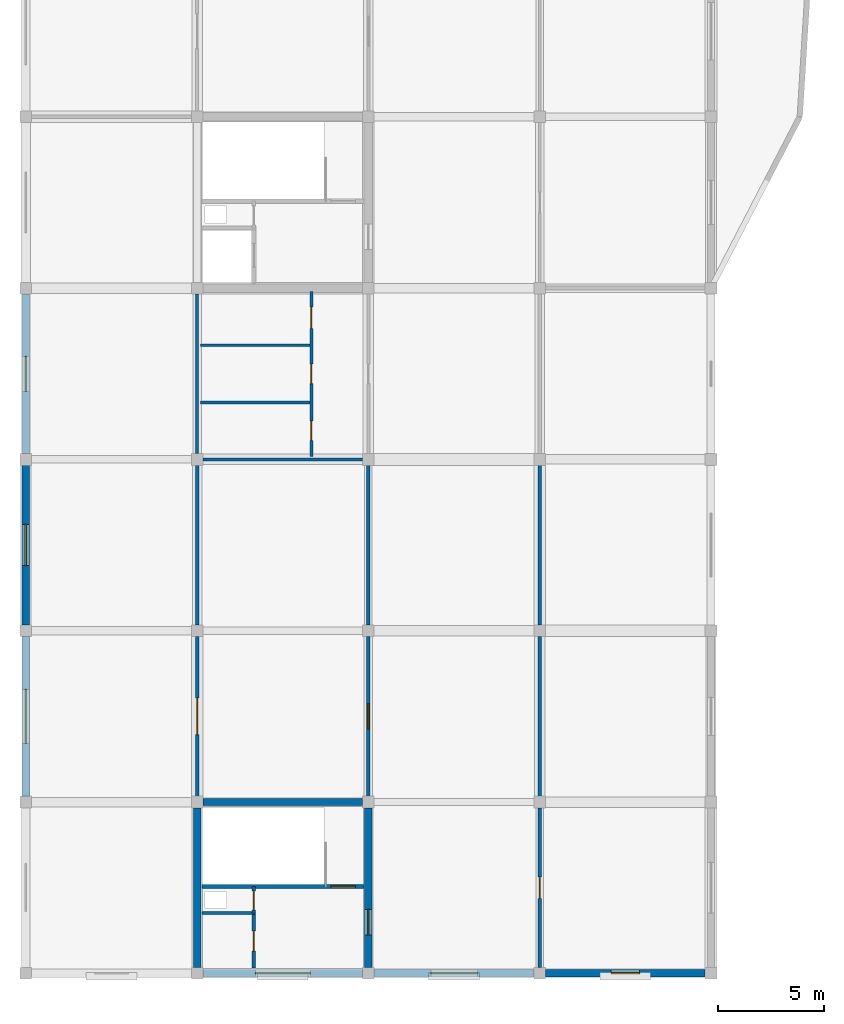
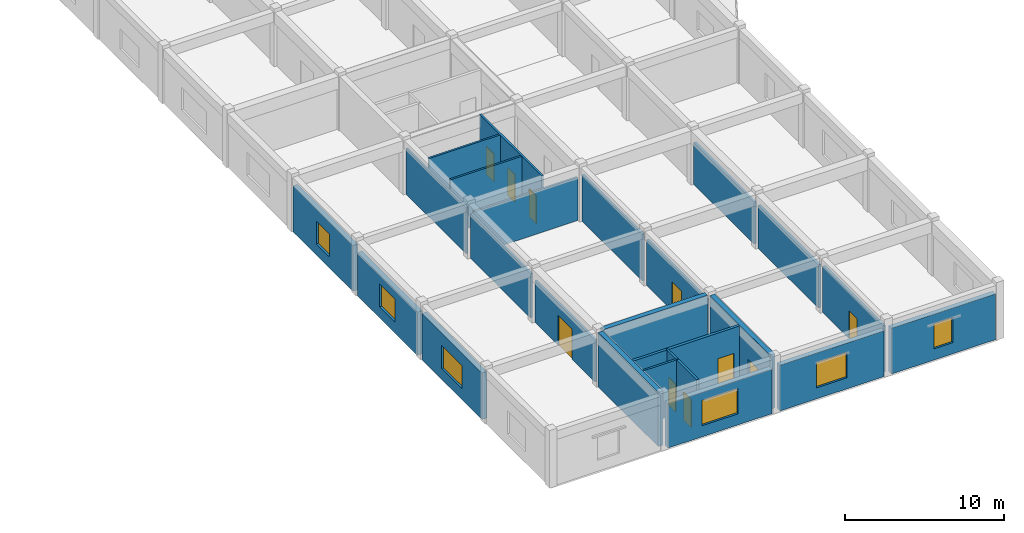
# One storey, part 3 of 7: 25 walls, 10 doors, 6 windows, 16 openings.
"""IFC4 building model written with IfcOpenShell, lengths in metres."""

from ifc_helpers import new_model, si_unit, direction, frame, frame_2d, origin, place, context, subcontext, project, spatial, rectangle, extrude, material, layer, layer_set, type_object, element, fill, save


model = new_model("IFC4")

# Units and contexts
model_context = context("Model", 3, precision=1e-05, world=origin(), true_north=direction((0.0, 1.0)))
body_context = subcontext(model_context, "Body", "Model", "MODEL_VIEW")
ifc_project = project(units=[si_unit("LENGTHUNIT", "METRE"), si_unit("AREAUNIT", "SQUARE_METRE"), si_unit("VOLUMEUNIT", "CUBIC_METRE"), si_unit("PLANEANGLEUNIT", "RADIAN"), si_unit("MASSUNIT", "GRAM", prefix="KILO")], contexts=[model_context])

# Site, building, storey
site_placement = place(None, origin())
site = spatial("IfcSite", under=ifc_project, at=site_placement, CompositionType="ELEMENT")
building_placement = place(site_placement, origin())
building = spatial("IfcBuilding", under=site, at=building_placement, Name="Vaudrelin Polytechnic", CompositionType="ELEMENT")
storey_placement = place(building_placement, frame((0.0, 0.0, 31.7900390625)))
storey = spatial("IfcBuildingStorey", under=building, at=storey_placement, Name="L07", CompositionType="ELEMENT", Elevation=31.7900390625)

# Wall, opening, window
ifc_material_1 = material(Name="Precast concrete 35 MPa with terracotta baguette screen", Category="masonry")
ifc_layer_1 = layer(ifc_material_1, 0.35009765625)
ifc_layer_set_1 = layer_set([ifc_layer_1], Name="Precast concrete 35 MPa with terracotta baguette screen")
wall_type_1 = type_object("IfcWallType", Name="WAL-EW-TERR350", PredefinedType="STANDARD", material=ifc_layer_set_1)
wall_1_placement = place(storey_placement, frame((146.072998046875, 32.39990234375, 0.0), z_axis=(0.0, 0.0, 1.0), x_axis=(1.0, 0.0, 0.0)))
wall_1 = element("IfcWall", 1, at=wall_1_placement, inside=storey, type_object=wall_type_1, Name="Exterior wall L07 S_V4_01", PredefinedType="STANDARD", context=body_context, shape_type="SweptSolid", body=[
    extrude(rectangle(XDim=7.553955078125, YDim=0.35009765625, at=frame_2d((3.77685546875, 0.0))), origin(), (0.0, 0.0, 1.0), 3.411865234375),
])
opening_1_placement = place(wall_1_placement, frame((2.47705078125, 0.0, 0.85009765625)))
opening_1 = element("IfcOpeningElement", 2, at=opening_1_placement, cuts=wall_1, Name="Opening W-L07-S-V4-02", PredefinedType="OPENING", context=body_context, shape_type="SweptSolid", body=[
    extrude(rectangle(XDim=2.60009765625, YDim=1.949951171875, at=frame_2d((1.300048828125, 0.97509765625))), frame((0.0, 0.18505859375, 0.0), z_axis=(0.0, -1.0, 0.0), x_axis=(1.0, 0.0, 0.0)), (0.0, 0.0, 1.0), 0.3701171875),
])
ifc_material_2 = material(Name="Thermally broken aluminium frame with triple low-e glazing", Category="aluminium")
window_type_1 = type_object("IfcWindowType", Name="WIN-WN-12", PartitioningType="SINGLE_PANEL", PredefinedType="WINDOW", material=ifc_material_2)
window_1_placement = place(opening_1_placement, origin())
window_1 = element("IfcWindow", 3, at=window_1_placement, inside=storey, type_object=window_type_1, Name="Facade window L07-S_V4_01", OverallHeight=1.949951171875, OverallWidth=2.60009765625, PartitioningType="SINGLE_PANEL", PredefinedType="WINDOW", context=body_context, shape_type="SweptSolid", body=[
    extrude(rectangle(XDim=2.60009765625, YDim=1.949951171875, at=frame_2d((1.300048828125, 0.97509765625))), frame((0.0, 0.030029296875, 0.0), z_axis=(0.0, -1.0, 0.0), x_axis=(1.0, 0.0, 0.0)), (0.0, 0.0, 1.0), 0.06005859375),
])
fill(opening_1, window_1)

wall_2_placement = place(storey_placement, frame((154.173095703125, 32.39990234375, 0.0), z_axis=(0.0, 0.0, 1.0), x_axis=(1.0, 0.0, 0.0)))
wall_2 = element("IfcWall", 4, at=wall_2_placement, inside=storey, type_object=wall_type_1, Name="Exterior wall L07 S_V4_02", PredefinedType="STANDARD", context=body_context, shape_type="SweptSolid", body=[
    extrude(rectangle(XDim=7.553955078125, YDim=0.35009765625, at=frame_2d((3.77685546875, 0.0))), origin(), (0.0, 0.0, 1.0), 3.511962890625),
])
opening_2_placement = place(wall_2_placement, frame((2.677001953125, 0.0, 0.85009765625)))
opening_2 = element("IfcOpeningElement", 5, at=opening_2_placement, cuts=wall_2, Name="Opening W-L07-S-V4-03", PredefinedType="OPENING", context=body_context, shape_type="SweptSolid", body=[
    extrude(rectangle(XDim=2.199951171875, YDim=1.949951171875, at=frame_2d((1.10009765625, 0.97509765625))), frame((0.0, 0.18505859375, 0.0), z_axis=(0.0, -1.0, 0.0), x_axis=(1.0, 0.0, 0.0)), (0.0, 0.0, 1.0), 0.3701171875),
])
window_type_2 = type_object("IfcWindowType", Name="WIN-WN-13", PartitioningType="SINGLE_PANEL", PredefinedType="WINDOW", material=ifc_material_2)
window_2_placement = place(opening_2_placement, origin())
window_2 = element("IfcWindow", 6, at=window_2_placement, inside=storey, type_object=window_type_2, Name="Facade window L07-S_V4_02", OverallHeight=1.949951171875, OverallWidth=2.199951171875, PartitioningType="SINGLE_PANEL", PredefinedType="WINDOW", context=body_context, shape_type="SweptSolid", body=[
    extrude(rectangle(XDim=2.199951171875, YDim=1.949951171875, at=frame_2d((1.10009765625, 0.97509765625))), frame((0.0, 0.030029296875, 0.0), z_axis=(0.0, -1.0, 0.0), x_axis=(1.0, 0.0, 0.0)), (0.0, 0.0, 1.0), 0.06005859375),
])
fill(opening_2, window_2)

wall_3_placement = place(storey_placement, frame((162.27294921875, 32.39990234375, 0.0), z_axis=(0.0, 0.0, 1.0), x_axis=(1.0, 0.0, 0.0)))
wall_3 = element("IfcWall", 7, at=wall_3_placement, inside=storey, type_object=wall_type_1, Name="Exterior wall L07 S_V4_03", PredefinedType="STANDARD", context=body_context, shape_type="SweptSolid", body=[
    extrude(rectangle(XDim=7.553955078125, YDim=0.35009765625, at=frame_2d((3.77685546875, 0.0))), origin(), (0.0, 0.0, 1.0), 3.511962890625),
])
opening_3_placement = place(wall_3_placement, frame((3.10205078125, 0.0, 0.85009765625)))
opening_3 = element("IfcOpeningElement", 8, at=opening_3_placement, cuts=wall_3, Name="Opening W-L07-S-V4-04", PredefinedType="OPENING", context=body_context, shape_type="SweptSolid", body=[
    extrude(rectangle(XDim=1.35009765625, YDim=1.949951171875, at=frame_2d((0.675048828125, 0.97509765625))), frame((0.0, 0.18505859375, 0.0), z_axis=(0.0, -1.0, 0.0), x_axis=(1.0, 0.0, 0.0)), (0.0, 0.0, 1.0), 0.3701171875),
])
window_type_3 = type_object("IfcWindowType", Name="WIN-WN-14", PartitioningType="SINGLE_PANEL", PredefinedType="WINDOW", material=ifc_material_2)
window_3_placement = place(opening_3_placement, origin())
window_3 = element("IfcWindow", 9, at=window_3_placement, inside=storey, type_object=window_type_3, Name="Facade window L07-S_V4_03", OverallHeight=1.949951171875, OverallWidth=1.35009765625, PartitioningType="SINGLE_PANEL", PredefinedType="WINDOW", context=body_context, shape_type="SweptSolid", body=[
    extrude(rectangle(XDim=1.35009765625, YDim=1.949951171875, at=frame_2d((0.675048828125, 0.97509765625))), frame((0.0, 0.030029296875, 0.0), z_axis=(0.0, -1.0, 0.0), x_axis=(1.0, 0.0, 0.0)), (0.0, 0.0, 1.0), 0.06005859375),
])
fill(opening_3, window_3)

wall_4_placement = place(storey_placement, frame((137.699951171875, 40.77294921875, 0.0), z_axis=(0.0, 0.0, 1.0), x_axis=(0.0, 1.0, 0.0)))
wall_4 = element("IfcWall", 10, at=wall_4_placement, inside=storey, type_object=wall_type_1, Name="Exterior wall L07 W_V4_01", PredefinedType="STANDARD", context=body_context, shape_type="SweptSolid", body=[
    extrude(rectangle(XDim=7.553955078125, YDim=0.35009765625, at=frame_2d((3.77685546875, 0.0))), origin(), (0.0, 0.0, 1.0), 3.56201171875),
])
opening_4_placement = place(wall_4_placement, frame((2.501953125, 0.0, 0.85009765625)))
opening_4 = element("IfcOpeningElement", 11, at=opening_4_placement, cuts=wall_4, Name="Opening W-L07-W-V4-02", PredefinedType="OPENING", context=body_context, shape_type="SweptSolid", body=[
    extrude(rectangle(XDim=2.550048828125, YDim=1.75, at=frame_2d((1.27490234375, 0.875))), frame((0.0, 0.18505859375, 0.0), z_axis=(0.0, -1.0, 0.0), x_axis=(1.0, 0.0, 0.0)), (0.0, 0.0, 1.0), 0.3701171875),
])
window_type_4 = type_object("IfcWindowType", Name="WIN-WN-16", PartitioningType="SINGLE_PANEL", PredefinedType="WINDOW", material=ifc_material_2)
window_4_placement = place(opening_4_placement, origin())
window_4 = element("IfcWindow", 12, at=window_4_placement, inside=storey, type_object=window_type_4, Name="Facade window L07-W_V4_01", OverallHeight=1.75, OverallWidth=2.550048828125, PartitioningType="SINGLE_PANEL", PredefinedType="WINDOW", context=body_context, shape_type="SweptSolid", body=[
    extrude(rectangle(XDim=2.550048828125, YDim=1.75, at=frame_2d((1.27490234375, 0.875))), frame((0.0, 0.030029296875, 0.0), z_axis=(0.0, -1.0, 0.0), x_axis=(1.0, 0.0, 0.0)), (0.0, 0.0, 1.0), 0.06005859375),
])
fill(opening_4, window_4)

wall_5_placement = place(storey_placement, frame((137.699951171875, 48.873046875, 0.0), z_axis=(0.0, 0.0, 1.0), x_axis=(0.0, 1.0, 0.0)))
wall_5 = element("IfcWall", 13, at=wall_5_placement, inside=storey, type_object=wall_type_1, Name="Exterior wall L07 W_V4_02", PredefinedType="STANDARD", context=body_context, shape_type="SweptSolid", body=[
    extrude(rectangle(XDim=7.553955078125, YDim=0.35009765625, at=frame_2d((3.77685546875, 0.0))), origin(), (0.0, 0.0, 1.0), 3.31201171875),
])
opening_5_placement = place(wall_5_placement, frame((2.802001953125, 0.0, 0.85009765625)))
opening_5 = element("IfcOpeningElement", 14, at=opening_5_placement, cuts=wall_5, Name="Opening W-L07-W-V4-03", PredefinedType="OPENING", context=body_context, shape_type="SweptSolid", body=[
    extrude(rectangle(XDim=1.949951171875, YDim=1.75, at=frame_2d((0.97509765625, 0.875))), frame((0.0, 0.18505859375, 0.0), z_axis=(0.0, -1.0, 0.0), x_axis=(1.0, 0.0, 0.0)), (0.0, 0.0, 1.0), 0.3701171875),
])
window_type_5 = type_object("IfcWindowType", Name="WIN-WN-17", PartitioningType="SINGLE_PANEL", PredefinedType="WINDOW", material=ifc_material_2)
window_5_placement = place(opening_5_placement, origin())
window_5 = element("IfcWindow", 15, at=window_5_placement, inside=storey, type_object=window_type_5, Name="Facade window L07-W_V4_02", OverallHeight=1.75, OverallWidth=1.949951171875, PartitioningType="SINGLE_PANEL", PredefinedType="WINDOW", context=body_context, shape_type="SweptSolid", body=[
    extrude(rectangle(XDim=1.949951171875, YDim=1.75, at=frame_2d((0.97509765625, 0.875))), frame((0.0, 0.030029296875, 0.0), z_axis=(0.0, -1.0, 0.0), x_axis=(1.0, 0.0, 0.0)), (0.0, 0.0, 1.0), 0.06005859375),
])
fill(opening_5, window_5)

wall_6_placement = place(storey_placement, frame((137.699951171875, 56.972900390625, 0.0), z_axis=(0.0, 0.0, 1.0), x_axis=(0.0, 1.0, 0.0)))
wall_6 = element("IfcWall", 16, at=wall_6_placement, inside=storey, type_object=wall_type_1, Name="Exterior wall L07 W_V4_03", PredefinedType="STANDARD", context=body_context, shape_type="SweptSolid", body=[
    extrude(rectangle(XDim=7.55419921875, YDim=0.35009765625, at=frame_2d((3.777099609375, 0.0))), origin(), (0.0, 0.0, 1.0), 3.511962890625),
])
opening_6_placement = place(wall_6_placement, frame((2.951904296875, 0.0, 0.85009765625)))
opening_6 = element("IfcOpeningElement", 17, at=opening_6_placement, cuts=wall_6, Name="Opening W-L07-W-V4-04", PredefinedType="OPENING", context=body_context, shape_type="SweptSolid", body=[
    extrude(rectangle(XDim=1.64990234375, YDim=1.75, at=frame_2d((0.824951171875, 0.875))), frame((0.0, 0.18505859375, 0.0), z_axis=(0.0, -1.0, 0.0), x_axis=(1.0, 0.0, 0.0)), (0.0, 0.0, 1.0), 0.3701171875),
])
window_type_6 = type_object("IfcWindowType", Name="WIN-WN-18", PartitioningType="SINGLE_PANEL", PredefinedType="WINDOW", material=ifc_material_2)
window_6_placement = place(opening_6_placement, origin())
window_6 = element("IfcWindow", 18, at=window_6_placement, inside=storey, type_object=window_type_6, Name="Facade window L07-W_V4_03", OverallHeight=1.75, OverallWidth=1.64990234375, PartitioningType="SINGLE_PANEL", PredefinedType="WINDOW", context=body_context, shape_type="SweptSolid", body=[
    extrude(rectangle(XDim=1.64990234375, YDim=1.75, at=frame_2d((0.824951171875, 0.875))), frame((0.0, 0.030029296875, 0.0), z_axis=(0.0, -1.0, 0.0), x_axis=(1.0, 0.0, 0.0)), (0.0, 0.0, 1.0), 0.06005859375),
])
fill(opening_6, window_6)

# Wall, opening, door
ifc_material_3 = material(Name="Acoustic double-stud gypsum & mineral-wool partition", Category="gypsum")
ifc_layer_2 = layer(ifc_material_3, 0.179931640625)
ifc_layer_set_2 = layer_set([ifc_layer_2], Name="Acoustic double-stud gypsum & mineral-wool partition")
wall_type_2 = type_object("IfcWallType", Name="WAL-PW-AC180", PredefinedType="PARTITIONING", material=ifc_layer_set_2)
wall_7_placement = place(storey_placement, frame((162.0, 32.673095703125, 0.0), z_axis=(0.0, 0.0, 1.0), x_axis=(0.0, 1.0, 0.0)))
wall_7 = element("IfcWall", 19, at=wall_7_placement, inside=storey, type_object=wall_type_2, Name="Partition L07-007 W", PredefinedType="PARTITIONING", context=body_context, shape_type="SweptSolid", body=[
    extrude(rectangle(XDim=7.553955078125, YDim=0.179931640625, at=frame_2d((3.77685546875, 0.0))), origin(), (0.0, 0.0, 1.0), 3.56201171875),
])
opening_7_placement = place(wall_7_placement, frame((3.277099609375, 0.0, 0.0)))
opening_7 = element("IfcOpeningElement", 20, at=opening_7_placement, cuts=wall_7, Name="Opening D-L07-574", PredefinedType="OPENING", context=body_context, shape_type="SweptSolid", body=[
    extrude(rectangle(XDim=1.0, YDim=2.14990234375, at=frame_2d((0.5, 1.074951171875))), frame((0.0, 0.10009765625, 0.0), z_axis=(0.0, -1.0, 0.0), x_axis=(1.0, 0.0, 0.0)), (0.0, 0.0, 1.0), 0.199951171875),
])
ifc_material_4 = material(Name="Solid-core birch veneer acoustic leaf", Category="wood")
door_type_1 = type_object("IfcDoorType", Name="DOR-ID-SEM1", OperationType="NOTDEFINED", PredefinedType="DOOR", material=ifc_material_4)
door_1_placement = place(opening_7_placement, origin())
door_1 = element("IfcDoor", 21, at=door_1_placement, inside=storey, type_object=door_type_1, Name="Graduate Colloquium Seminar Room 701 door L07-007", OperationType="SINGLE_SWING_LEFT", OverallHeight=2.14990234375, OverallWidth=1.0, PredefinedType="DOOR", context=body_context, shape_type="SweptSolid", body=[
    extrude(rectangle(XDim=1.0, YDim=2.14990234375, at=frame_2d((0.5, 1.074951171875))), frame((0.0, 0.02490234375, 0.0), z_axis=(0.0, -1.0, 0.0), x_axis=(1.0, 0.0, 0.0)), (0.0, 0.0, 1.0), 0.050048828125),
])
fill(opening_7, door_1)

# Walls
wall_8_placement = place(storey_placement, frame((162.0, 40.77294921875, 0.0), z_axis=(0.0, 0.0, 1.0), x_axis=(0.0, 1.0, 0.0)))
element("IfcWall", 22, at=wall_8_placement, inside=storey, type_object=wall_type_2, Name="Partition L07-007 W", PredefinedType="PARTITIONING", context=body_context, shape_type="SweptSolid", body=[
    extrude(rectangle(XDim=7.553955078125, YDim=0.179931640625, at=frame_2d((3.77685546875, 0.0))), origin(), (0.0, 0.0, 1.0), 3.31201171875),
])
wall_9_placement = place(storey_placement, frame((162.0, 48.873046875, 0.0), z_axis=(0.0, 0.0, 1.0), x_axis=(0.0, 1.0, 0.0)))
element("IfcWall", 23, at=wall_9_placement, inside=storey, type_object=wall_type_2, Name="Partition L07-007 W", PredefinedType="PARTITIONING", context=body_context, shape_type="SweptSolid", body=[
    extrude(rectangle(XDim=7.553955078125, YDim=0.179931640625, at=frame_2d((3.77685546875, 0.0))), origin(), (0.0, 0.0, 1.0), 3.2119140625),
])

# Wall, opening, door
ifc_material_5 = material(Name="Fire-rated steel-stud gypsum compartment wall", Category="steel")
ifc_layer_3 = layer(ifc_material_5, 0.14990234375)
ifc_layer_set_3 = layer_set([ifc_layer_3], Name="Fire-rated steel-stud gypsum compartment wall")
wall_type_3 = type_object("IfcWallType", Name="WAL-PW-FIRE60", PredefinedType="PARTITIONING", material=ifc_layer_set_3)
wall_10_placement = place(storey_placement, frame((148.47998046875, 35.25, 0.0), z_axis=(0.0, 0.0, 1.0), x_axis=(0.0, 1.0, 0.0)))
wall_10 = element("IfcWall", 24, at=wall_10_placement, inside=storey, type_object=wall_type_3, Name="Core C8 riser enclosure wall L07", PredefinedType="PARTITIONING", context=body_context, shape_type="SweptSolid", body=[
    extrude(rectangle(XDim=1.260009765625, YDim=0.14990234375, at=frame_2d((0.6298828125, 0.0))), origin(), (0.0, 0.0, 1.0), 4.161865234375),
])
opening_8_placement = place(wall_10_placement, frame((0.139892578125, 0.0, 0.0)))
opening_8 = element("IfcOpeningElement", 25, at=opening_8_placement, cuts=wall_10, Name="Opening D-L07-172", PredefinedType="OPENING", context=body_context, shape_type="SweptSolid", body=[
    extrude(rectangle(XDim=0.89990234375, YDim=2.14990234375, at=frame_2d((0.449951171875, 1.074951171875))), frame((0.0, 0.0849609375, 0.0), z_axis=(0.0, -1.0, 0.0), x_axis=(1.0, 0.0, 0.0)), (0.0, 0.0, 1.0), 0.169921875),
])
ifc_material_6 = material(Name="Pressed galvanised steel acoustic leaf", Category="steel")
door_type_2 = type_object("IfcDoorType", Name="DOR-ID-RSR1", OperationType="NOTDEFINED", PredefinedType="DOOR", material=ifc_material_6)
door_2_placement = place(opening_8_placement, origin())
door_2 = element("IfcDoor", 26, at=door_2_placement, inside=storey, type_object=door_type_2, Name="Core C8 riser access door L07", OperationType="SINGLE_SWING_RIGHT", OverallHeight=2.14990234375, OverallWidth=0.89990234375, PredefinedType="DOOR", context=body_context, shape_type="SweptSolid", body=[
    extrude(rectangle(XDim=0.89990234375, YDim=2.14990234375, at=frame_2d((0.449951171875, 1.074951171875))), frame((0.0, 0.02490234375, 0.0), z_axis=(0.0, -1.0, 0.0), x_axis=(1.0, 0.0, 0.0)), (0.0, 0.0, 1.0), 0.050048828125),
])
fill(opening_8, door_2)

# Wall
wall_11_placement = place(storey_placement, frame((146.02001953125, 35.25, 0.0), z_axis=(0.0, 0.0, 1.0), x_axis=(1.0, 0.0, 0.0)))
element("IfcWall", 27, at=wall_11_placement, inside=storey, type_object=wall_type_3, Name="Core C8 riser south fire wall L07", PredefinedType="PARTITIONING", context=body_context, shape_type="SweptSolid", body=[
    extrude(rectangle(XDim=2.530029296875, YDim=0.14990234375, at=frame_2d((1.26513671875, 0.0))), origin(), (0.0, 0.0, 1.0), 4.161865234375),
])

# Wall, opening, door
wall_12_placement = place(storey_placement, frame((148.47998046875, 32.64990234375, 0.0), z_axis=(0.0, 0.0, 1.0), x_axis=(0.0, 1.0, 0.0)))
wall_12 = element("IfcWall", 28, at=wall_12_placement, inside=storey, type_object=wall_type_3, Name="Core C8 custodial enclosure wall L07", PredefinedType="PARTITIONING", context=body_context, shape_type="SweptSolid", body=[
    extrude(rectangle(XDim=2.60009765625, YDim=0.14990234375, at=frame_2d((1.300048828125, 0.0))), origin(), (0.0, 0.0, 1.0), 4.161865234375),
])
opening_9_placement = place(wall_12_placement, frame((0.800048828125, 0.0, 0.0)))
opening_9 = element("IfcOpeningElement", 29, at=opening_9_placement, cuts=wall_12, Name="Opening D-L07-173", PredefinedType="OPENING", context=body_context, shape_type="SweptSolid", body=[
    extrude(rectangle(XDim=0.949951171875, YDim=2.14990234375, at=frame_2d((0.47509765625, 1.074951171875))), frame((0.0, 0.0849609375, 0.0), z_axis=(0.0, -1.0, 0.0), x_axis=(1.0, 0.0, 0.0)), (0.0, 0.0, 1.0), 0.169921875),
])
door_type_3 = type_object("IfcDoorType", Name="DOR-ID-STR1", OperationType="NOTDEFINED", PredefinedType="DOOR", material=ifc_material_6)
door_3_placement = place(opening_9_placement, origin())
door_3 = element("IfcDoor", 30, at=door_3_placement, inside=storey, type_object=door_type_3, Name="Core C8 custodial door L07", OperationType="SINGLE_SWING_RIGHT", OverallHeight=2.14990234375, OverallWidth=0.949951171875, PredefinedType="DOOR", context=body_context, shape_type="SweptSolid", body=[
    extrude(rectangle(XDim=0.949951171875, YDim=2.14990234375, at=frame_2d((0.47509765625, 1.074951171875))), frame((0.0, 0.02490234375, 0.0), z_axis=(0.0, -1.0, 0.0), x_axis=(1.0, 0.0, 0.0)), (0.0, 0.0, 1.0), 0.050048828125),
])
fill(opening_9, door_3)

ifc_material_7 = material(Name="Moisture- and chemical-resistant laboratory partition", Category="gypsum")
ifc_layer_4 = layer(ifc_material_7, 0.159912109375)
ifc_layer_set_4 = layer_set([ifc_layer_4], Name="Moisture- and chemical-resistant laboratory partition")
wall_type_4 = type_object("IfcWallType", Name="WAL-PW-LAB160", PredefinedType="PARTITIONING", material=ifc_layer_set_4)
wall_13_placement = place(storey_placement, frame((145.800048828125, 40.77294921875, 0.0), z_axis=(0.0, 0.0, 1.0), x_axis=(0.0, 1.0, 0.0)))
wall_13 = element("IfcWall", 31, at=wall_13_placement, inside=storey, type_object=wall_type_4, Name="Partition L07-001 E", PredefinedType="PARTITIONING", context=body_context, shape_type="SweptSolid", body=[
    extrude(rectangle(XDim=7.553955078125, YDim=0.159912109375, at=frame_2d((3.77685546875, 0.0))), origin(), (0.0, 0.0, 1.0), 3.2119140625),
])
opening_10_placement = place(wall_13_placement, frame((2.9169921875, 0.0, 0.0)))
opening_10 = element("IfcOpeningElement", 32, at=opening_10_placement, cuts=wall_13, Name="Opening D-L07-569", PredefinedType="OPENING", context=body_context, shape_type="SweptSolid", body=[
    extrude(rectangle(XDim=1.719970703125, YDim=2.300048828125, at=frame_2d((0.85986328125, 1.14990234375))), frame((0.0, 0.08984375, 0.0), z_axis=(0.0, -1.0, 0.0), x_axis=(1.0, 0.0, 0.0)), (0.0, 0.0, 1.0), 0.179931640625),
])
door_type_4 = type_object("IfcDoorType", Name="DOR-ID-LAB5", OperationType="NOTDEFINED", PredefinedType="DOOR", material=ifc_material_6)
door_4_placement = place(opening_10_placement, origin())
door_4 = element("IfcDoor", 33, at=door_4_placement, inside=storey, type_object=door_type_4, Name="Robotics and Autonomous Systems Laboratory door L07-001", OperationType="DOUBLE_SWING_LEFT", OverallHeight=2.300048828125, OverallWidth=1.719970703125, PredefinedType="DOOR", context=body_context, shape_type="SweptSolid", body=[
    extrude(rectangle(XDim=1.719970703125, YDim=2.300048828125, at=frame_2d((0.85986328125, 1.14990234375))), frame((0.0, 0.02490234375, 0.0), z_axis=(0.0, -1.0, 0.0), x_axis=(1.0, 0.0, 0.0)), (0.0, 0.0, 1.0), 0.050048828125),
])
fill(opening_10, door_4)

# Wall
wall_14_placement = place(storey_placement, frame((145.800048828125, 48.873046875, 0.0), z_axis=(0.0, 0.0, 1.0), x_axis=(0.0, 1.0, 0.0)))
element("IfcWall", 34, at=wall_14_placement, inside=storey, type_object=wall_type_4, Name="Partition L07-001 E", PredefinedType="PARTITIONING", context=body_context, shape_type="SweptSolid", body=[
    extrude(rectangle(XDim=7.553955078125, YDim=0.159912109375, at=frame_2d((3.77685546875, 0.0))), origin(), (0.0, 0.0, 1.0), 3.411865234375),
])

# Wall, opening, door
wall_15_placement = place(storey_placement, frame((153.89990234375, 40.77294921875, 0.0), z_axis=(0.0, 0.0, 1.0), x_axis=(0.0, 1.0, 0.0)))
wall_15 = element("IfcWall", 35, at=wall_15_placement, inside=storey, type_object=wall_type_4, Name="Partition L07-002 E", PredefinedType="PARTITIONING", context=body_context, shape_type="SweptSolid", body=[
    extrude(rectangle(XDim=7.553955078125, YDim=0.159912109375, at=frame_2d((3.77685546875, 0.0))), origin(), (0.0, 0.0, 1.0), 3.511962890625),
])
opening_11_placement = place(wall_15_placement, frame((3.177001953125, 0.0, 0.0)))
opening_11 = element("IfcOpeningElement", 36, at=opening_11_placement, cuts=wall_15, Name="Opening D-L07-570", PredefinedType="OPENING", context=body_context, shape_type="SweptSolid", body=[
    extrude(rectangle(XDim=1.199951171875, YDim=2.199951171875, at=frame_2d((0.60009765625, 1.10009765625))), frame((0.0, 0.08984375, 0.0), z_axis=(0.0, -1.0, 0.0), x_axis=(1.0, 0.0, 0.0)), (0.0, 0.0, 1.0), 0.179931640625),
])
door_type_5 = type_object("IfcDoorType", Name="DOR-ID-LAB2", OperationType="NOTDEFINED", PredefinedType="DOOR", material=ifc_material_6)
door_5_placement = place(opening_11_placement, origin())
door_5 = element("IfcDoor", 37, at=door_5_placement, inside=storey, type_object=door_type_5, Name="Drone Motion-Capture Laboratory door L07-002", OperationType="SINGLE_SWING_RIGHT", OverallHeight=2.199951171875, OverallWidth=1.199951171875, PredefinedType="DOOR", context=body_context, shape_type="SweptSolid", body=[
    extrude(rectangle(XDim=1.199951171875, YDim=2.199951171875, at=frame_2d((0.60009765625, 1.10009765625))), frame((0.0, 0.02490234375, 0.0), z_axis=(0.0, -1.0, 0.0), x_axis=(1.0, 0.0, 0.0)), (0.0, 0.0, 1.0), 0.050048828125),
])
fill(opening_11, door_5)

# Walls
wall_16_placement = place(storey_placement, frame((153.89990234375, 48.873046875, 0.0), z_axis=(0.0, 0.0, 1.0), x_axis=(0.0, 1.0, 0.0)))
element("IfcWall", 38, at=wall_16_placement, inside=storey, type_object=wall_type_4, Name="Partition L07-002 E", PredefinedType="PARTITIONING", context=body_context, shape_type="SweptSolid", body=[
    extrude(rectangle(XDim=7.553955078125, YDim=0.159912109375, at=frame_2d((3.77685546875, 0.0))), origin(), (0.0, 0.0, 1.0), 3.56201171875),
])
ifc_material_8 = material(Name="Cement-board tiled wet-wall washroom partition", Category="gypsum")
ifc_layer_5 = layer(ifc_material_8, 0.139892578125)
ifc_layer_set_5 = layer_set([ifc_layer_5], Name="Cement-board tiled wet-wall washroom partition")
wall_type_5 = type_object("IfcWallType", Name="WAL-PW-WC140", PredefinedType="PARTITIONING", material=ifc_layer_set_5)
wall_17_placement = place(storey_placement, frame((146.072998046875, 56.699951171875, 0.0), z_axis=(0.0, 0.0, 1.0), x_axis=(1.0, 0.0, 0.0)))
element("IfcWall", 39, at=wall_17_placement, inside=storey, type_object=wall_type_5, Name="Washroom enclosure wall L07-18-7-S", PredefinedType="PARTITIONING", context=body_context, shape_type="SweptSolid", body=[
    extrude(rectangle(XDim=7.553955078125, YDim=0.139892578125, at=frame_2d((3.77685546875, 0.0))), origin(), (0.0, 0.0, 1.0), 3.31005859375),
])
wall_18_placement = place(storey_placement, frame((145.800048828125, 56.972900390625, 0.0), z_axis=(0.0, 0.0, 1.0), x_axis=(0.0, 1.0, 0.0)))
element("IfcWall", 40, at=wall_18_placement, inside=storey, type_object=wall_type_5, Name="Washroom enclosure wall L07-18-7-W", PredefinedType="PARTITIONING", context=body_context, shape_type="SweptSolid", body=[
    extrude(rectangle(XDim=7.55419921875, YDim=0.139892578125, at=frame_2d((3.777099609375, 0.0))), origin(), (0.0, 0.0, 1.0), 3.510009765625),
])

# Wall, openings, doors
wall_19_placement = place(storey_placement, frame((151.199951171875, 56.85009765625, 0.0), z_axis=(0.0, 0.0, 1.0), x_axis=(0.0, 1.0, 0.0)))
wall_19 = element("IfcWall", 41, at=wall_19_placement, inside=storey, type_object=wall_type_5, Name="Washroom vestibule divider L07-18-7", PredefinedType="PARTITIONING", context=body_context, shape_type="SweptSolid", body=[
    extrude(rectangle(XDim=7.7998046875, YDim=0.139892578125, at=frame_2d((3.89990234375, 0.0))), origin(), (0.0, 0.0, 1.0), 4.161865234375),
])
opening_12_placement = place(wall_19_placement, frame((0.75, 0.0, 0.0)))
opening_12 = element("IfcOpeningElement", 42, at=opening_12_placement, cuts=wall_19, Name="Opening D-L07-390", PredefinedType="OPENING", context=body_context, shape_type="SweptSolid", body=[
    extrude(rectangle(XDim=0.919921875, YDim=2.14990234375, at=frame_2d((0.4599609375, 1.074951171875))), frame((0.0, 0.080078125, 0.0), z_axis=(0.0, -1.0, 0.0), x_axis=(1.0, 0.0, 0.0)), (0.0, 0.0, 1.0), 0.159912109375),
])
opening_13_placement = place(wall_19_placement, frame((3.43994140625, 0.0, 0.0)))
opening_13 = element("IfcOpeningElement", 43, at=opening_13_placement, cuts=wall_19, Name="Opening D-L07-391", PredefinedType="OPENING", context=body_context, shape_type="SweptSolid", body=[
    extrude(rectangle(XDim=0.919921875, YDim=2.14990234375, at=frame_2d((0.4599609375, 1.074951171875))), frame((0.0, 0.080078125, 0.0), z_axis=(0.0, -1.0, 0.0), x_axis=(1.0, 0.0, 0.0)), (0.0, 0.0, 1.0), 0.159912109375),
])
opening_14_placement = place(wall_19_placement, frame((6.050048828125, 0.0, 0.0)))
opening_14 = element("IfcOpeningElement", 44, at=opening_14_placement, cuts=wall_19, Name="Opening D-L07-392", PredefinedType="OPENING", context=body_context, shape_type="SweptSolid", body=[
    extrude(rectangle(XDim=1.0, YDim=2.14990234375, at=frame_2d((0.5, 1.074951171875))), frame((0.0, 0.080078125, 0.0), z_axis=(0.0, -1.0, 0.0), x_axis=(1.0, 0.0, 0.0)), (0.0, 0.0, 1.0), 0.159912109375),
])
door_type_6 = type_object("IfcDoorType", Name="DOR-ID-AWC1", OperationType="NOTDEFINED", PredefinedType="DOOR", material=ifc_material_4)
door_6_placement = place(opening_14_placement, origin())
door_6 = element("IfcDoor", 45, at=door_6_placement, inside=storey, type_object=door_type_6, Name="Washroom stall-room door L07-18-7-3", OperationType="SINGLE_SWING_LEFT", OverallHeight=2.14990234375, OverallWidth=1.0, PredefinedType="DOOR", context=body_context, shape_type="SweptSolid", body=[
    extrude(rectangle(XDim=1.0, YDim=2.14990234375, at=frame_2d((0.5, 1.074951171875))), frame((0.0, 0.02490234375, 0.0), z_axis=(0.0, -1.0, 0.0), x_axis=(1.0, 0.0, 0.0)), (0.0, 0.0, 1.0), 0.050048828125),
])
fill(opening_14, door_6)
door_type_7 = type_object("IfcDoorType", Name="DOR-ID-WC1", OperationType="NOTDEFINED", PredefinedType="DOOR", material=ifc_material_4)
door_7_placement = place(opening_12_placement, origin())
door_7 = element("IfcDoor", 46, at=door_7_placement, inside=storey, type_object=door_type_7, Name="Washroom stall-room door L07-18-7-1", OperationType="SINGLE_SWING_LEFT", OverallHeight=2.14990234375, OverallWidth=0.919921875, PredefinedType="DOOR", context=body_context, shape_type="SweptSolid", body=[
    extrude(rectangle(XDim=0.919921875, YDim=2.14990234375, at=frame_2d((0.4599609375, 1.074951171875))), frame((0.0, 0.02490234375, 0.0), z_axis=(0.0, -1.0, 0.0), x_axis=(1.0, 0.0, 0.0)), (0.0, 0.0, 1.0), 0.050048828125),
])
fill(opening_12, door_7)
door_8_placement = place(opening_13_placement, origin())
door_8 = element("IfcDoor", 47, at=door_8_placement, inside=storey, type_object=door_type_7, Name="Washroom stall-room door L07-18-7-2", OperationType="SINGLE_SWING_RIGHT", OverallHeight=2.14990234375, OverallWidth=0.919921875, PredefinedType="DOOR", context=body_context, shape_type="SweptSolid", body=[
    extrude(rectangle(XDim=0.919921875, YDim=2.14990234375, at=frame_2d((0.4599609375, 1.074951171875))), frame((0.0, 0.02490234375, 0.0), z_axis=(0.0, -1.0, 0.0), x_axis=(1.0, 0.0, 0.0)), (0.0, 0.0, 1.0), 0.050048828125),
])
fill(opening_13, door_8)

# Walls
for number, where, z_axis, x_axis, name in (
    (48, (145.949951171875, 59.39990234375, 0.0), (0.0, 0.0, 1.0), (1.0, 0.0, 0.0), "Washroom separation wall L07-18-7-1"),
    (49, (145.949951171875, 62.10009765625, 0.0), (0.0, 0.0, 1.0), (1.0, 0.0, 0.0), "Washroom separation wall L07-18-7-2"),
):
    element("IfcWall", number, at=place(storey_placement, frame(where, z_axis=z_axis, x_axis=x_axis)), inside=storey, type_object=wall_type_5, Name=name, PredefinedType="PARTITIONING", context=body_context, shape_type="SweptSolid", body=[
        extrude(rectangle(XDim=5.179931640625, YDim=0.139892578125, at=frame_2d((2.58984375, 0.0))), origin(), (0.0, 0.0, 1.0), 4.161865234375),
    ])

# Wall, opening, door
ifc_material_9 = material(Name="Concrete 40 MPa", Category="concrete")
ifc_layer_6 = layer(ifc_material_9, 0.199951171875)
ifc_layer_set_6 = layer_set([ifc_layer_6], Name="Concrete 40 MPa")
wall_type_6 = type_object("IfcWallType", Name="WAL-SW-CORE200", PredefinedType="SHEAR", material=ifc_layer_set_6)
wall_20_placement = place(storey_placement, frame((146.02001953125, 36.510009765625, 0.0), z_axis=(0.0, 0.0, 1.0), x_axis=(1.0, 0.0, 0.0)))
wall_20 = element("IfcWall", 50, at=wall_20_placement, inside=storey, type_object=wall_type_6, Name="Core C8 stair enclosure wall L07", PredefinedType="SHEAR", context=body_context, shape_type="SweptSolid", body=[
    extrude(rectangle(XDim=7.659912109375, YDim=0.199951171875, at=frame_2d((3.830078125, 0.0))), origin(), (0.0, 0.0, 1.0), 4.161865234375),
])
opening_15_placement = place(wall_20_placement, frame((6.110107421875, 0.0, 0.0)))
opening_15 = element("IfcOpeningElement", 51, at=opening_15_placement, cuts=wall_20, Name="Opening D-L07-171", PredefinedType="OPENING", context=body_context, shape_type="SweptSolid", body=[
    extrude(rectangle(XDim=1.14990234375, YDim=2.199951171875, at=frame_2d((0.574951171875, 1.10009765625))), frame((0.0, 0.10986328125, 0.0), z_axis=(0.0, -1.0, 0.0), x_axis=(1.0, 0.0, 0.0)), (0.0, 0.0, 1.0), 0.219970703125),
])
door_type_8 = type_object("IfcDoorType", Name="DOR-ID-ST1", OperationType="NOTDEFINED", PredefinedType="DOOR", material=ifc_material_6)
door_9_placement = place(opening_15_placement, origin())
door_9 = element("IfcDoor", 52, at=door_9_placement, inside=storey, type_object=door_type_8, Name="Core C8 exit stair door L07", OperationType="SINGLE_SWING_LEFT", OverallHeight=2.199951171875, OverallWidth=1.14990234375, PredefinedType="DOOR", context=body_context, shape_type="SweptSolid", body=[
    extrude(rectangle(XDim=1.14990234375, YDim=2.199951171875, at=frame_2d((0.574951171875, 1.10009765625))), frame((0.0, 0.02490234375, 0.0), z_axis=(0.0, -1.0, 0.0), x_axis=(1.0, 0.0, 0.0)), (0.0, 0.0, 1.0), 0.050048828125),
])
fill(opening_15, door_9)

# Walls
ifc_material_10 = material(Name="Concrete 50 MPa", Category="concrete")
ifc_layer_7 = layer(ifc_material_10, 0.35009765625)
ifc_layer_set_7 = layer_set([ifc_layer_7], Name="Concrete 50 MPa")
wall_type_7 = type_object("IfcWallType", Name="WAL-SW-CORE350", PredefinedType="SHEAR", material=ifc_layer_set_7)
for number, where, z_axis, x_axis, name in (
    (53, (146.072998046875, 40.5, 0.0), (0.0, 0.0, 1.0), (1.0, 0.0, 0.0), "Core C8 N shear wall L07"),
    (54, (145.800048828125, 32.673095703125, 0.0), (0.0, 0.0, 1.0), (0.0, 1.0, 0.0), "Core C8 W shear wall L07"),
):
    element("IfcWall", number, at=place(storey_placement, frame(where, z_axis=z_axis, x_axis=x_axis)), inside=storey, type_object=wall_type_7, Name=name, PredefinedType="SHEAR", context=body_context, shape_type="SweptSolid", body=[
        extrude(rectangle(XDim=7.553955078125, YDim=0.35009765625, at=frame_2d((3.77685546875, 0.0))), origin(), (0.0, 0.0, 1.0), 4.161865234375),
    ])

# Wall, opening, door
wall_21_placement = place(storey_placement, frame((153.89990234375, 32.673095703125, 0.0), z_axis=(0.0, 0.0, 1.0), x_axis=(0.0, 1.0, 0.0)))
wall_21 = element("IfcWall", 55, at=wall_21_placement, inside=storey, type_object=wall_type_7, Name="Core C8 E shear wall L07", PredefinedType="SHEAR", context=body_context, shape_type="SweptSolid", body=[
    extrude(rectangle(XDim=7.553955078125, YDim=0.35009765625, at=frame_2d((3.77685546875, 0.0))), origin(), (0.0, 0.0, 1.0), 4.161865234375),
])
opening_16_placement = place(wall_21_placement, frame((1.550048828125, 0.0, 0.0)))
opening_16 = element("IfcOpeningElement", 56, at=opening_16_placement, cuts=wall_21, Name="Opening D-L07-170", PredefinedType="OPENING", context=body_context, shape_type="SweptSolid", body=[
    extrude(rectangle(XDim=1.199951171875, YDim=2.199951171875, at=frame_2d((0.60009765625, 1.10009765625))), frame((0.0, 0.18505859375, 0.0), z_axis=(0.0, -1.0, 0.0), x_axis=(1.0, 0.0, 0.0)), (0.0, 0.0, 1.0), 0.3701171875),
])
door_type_9 = type_object("IfcDoorType", Name="DOR-ID-LB1", OperationType="NOTDEFINED", PredefinedType="DOOR", material=ifc_material_6)
door_10_placement = place(opening_16_placement, origin())
door_10 = element("IfcDoor", 57, at=door_10_placement, inside=storey, type_object=door_type_9, Name="Core C8 lobby fire door L07", OperationType="SINGLE_SWING_RIGHT", OverallHeight=2.199951171875, OverallWidth=1.199951171875, PredefinedType="DOOR", context=body_context, shape_type="SweptSolid", body=[
    extrude(rectangle(XDim=1.199951171875, YDim=2.199951171875, at=frame_2d((0.60009765625, 1.10009765625))), frame((0.0, 0.02490234375, 0.0), z_axis=(0.0, -1.0, 0.0), x_axis=(1.0, 0.0, 0.0)), (0.0, 0.0, 1.0), 0.050048828125),
])
fill(opening_16, door_10)

save(model, "model.ifc")
